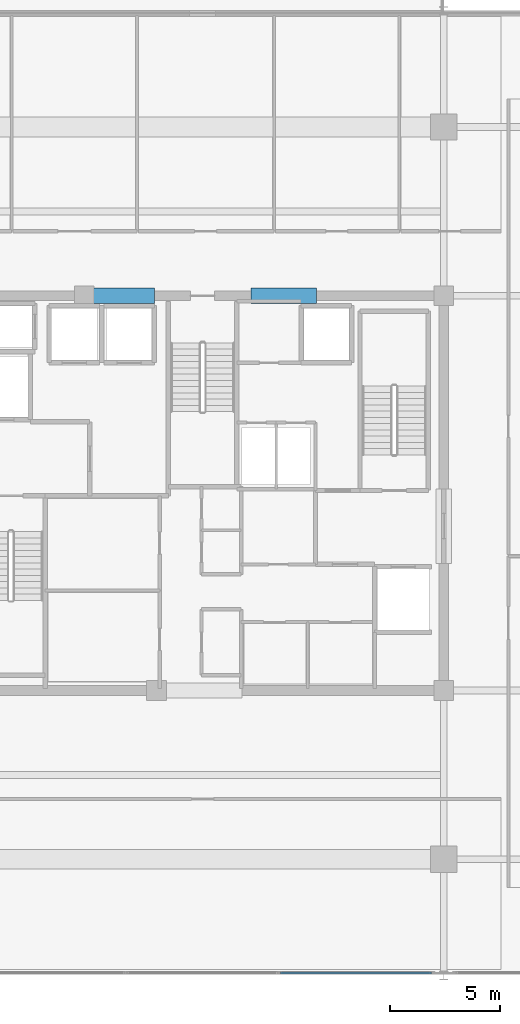
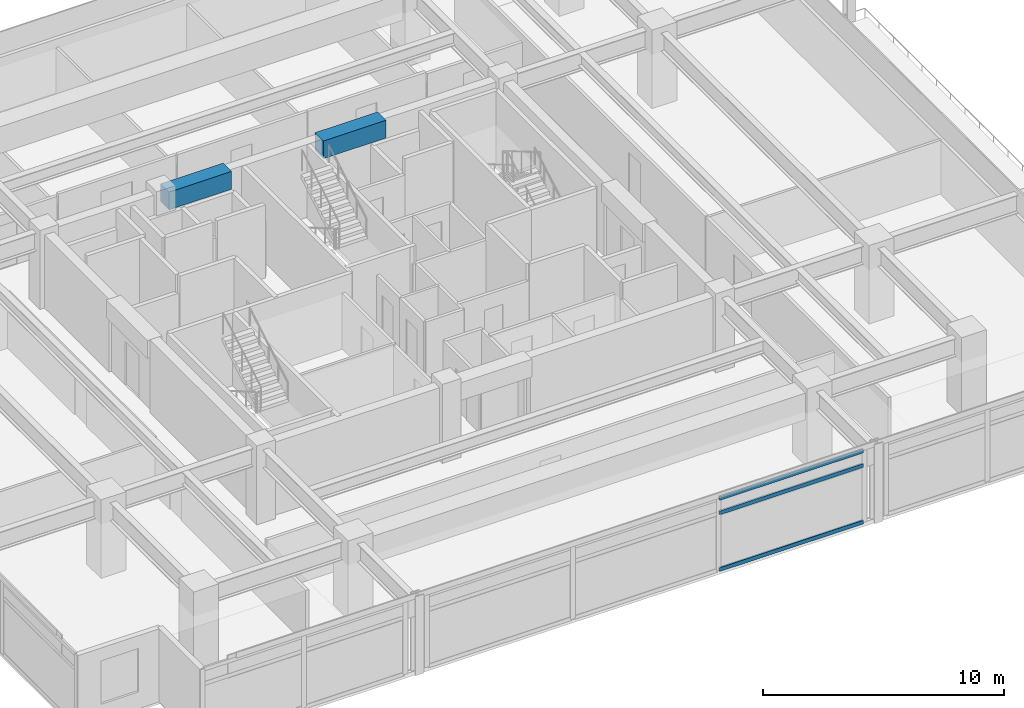
# One storey, part 8 of 20: 3 members, 2 beams, 1 element without a shape of its own.
"""IFC4 building model written with IfcOpenShell, lengths in metres."""

from ifc_helpers import new_model, si_unit, direction, frame, origin, origin_2d, place, context, subcontext, project, spatial, rectangle, hollow_rectangle, extrude, material, material_profile, profile_set, type_object, element, aggregate, save


model = new_model("IFC4")

# Units and contexts
model_context = context("Model", 3, precision=1e-05, world=origin(), true_north=direction((0.0, 1.0)))
body_context = subcontext(model_context, "Body", "Model", "MODEL_VIEW")
ifc_project = project(units=[si_unit("LENGTHUNIT", "METRE"), si_unit("AREAUNIT", "SQUARE_METRE"), si_unit("VOLUMEUNIT", "CUBIC_METRE"), si_unit("PLANEANGLEUNIT", "RADIAN"), si_unit("MASSUNIT", "GRAM", prefix="KILO")], contexts=[model_context])

# Site, building, storey
site_placement = place(None, origin())
site = spatial("IfcSite", under=ifc_project, at=site_placement, CompositionType="ELEMENT")
building_placement = place(site_placement, origin())
building = spatial("IfcBuilding", under=site, at=building_placement, Name="Kovane Verandah Tower", CompositionType="ELEMENT")
storey_placement = place(building_placement, frame((0.0, 0.0, 291.199951171875)))
storey = spatial("IfcBuildingStorey", under=building, at=storey_placement, Name="L68", CompositionType="ELEMENT", Elevation=291.199951171875)

# Beams
ifc_material_1 = material(Name="Concrete C60/75", Category="concrete")
ifc_material_profile_1 = material_profile(ifc_material_1, rectangle(XDim=0.699951171875, YDim=0.89990234375, at=origin_2d()), Name="RCB700x900")
ifc_profile_set_1 = profile_set([ifc_material_profile_1], Name="Concrete C60/75")
beam_type = type_object("IfcBeamType", Name="BM-LINTEL-700x900", PredefinedType="LINTEL", material=ifc_profile_set_1)
for number, where, z_axis, x_axis, name in (
    (1, (34.800048828125, 36.5, 3.25), (1.0, 0.0, 0.0), (0.0, 1.0, 0.0), "L68 Core Coupling Lintel CL-N1"),
    (2, (42.199951171875, 36.5, 3.25), (1.0, 0.0, 0.0), (0.0, 1.0, 0.0), "L68 Core Coupling Lintel CL-N2"),
):
    element("IfcBeam", number, at=place(storey_placement, frame(where, z_axis=z_axis, x_axis=x_axis)), inside=storey, type_object=beam_type, Name=name, PredefinedType="LINTEL", context=body_context, shape_type="SweptSolid", body=[
        extrude(rectangle(XDim=0.699951171875, YDim=0.89990234375, at=origin_2d()), origin(), (0.0, 0.0, 1.0), 3.0),
    ])

# Curtain wall, members
ifc_material_2 = material(Name="Champagne Anodised Aluminium Frame with Low-E Clear Laminated Glass", Category="aluminium")
curtain_wall_type = type_object("IfcCurtainWallType", Name="CW-SYS-05-HIGH", PredefinedType="NOTDEFINED", material=ifc_material_2)
curtain_wall_placement = place(storey_placement, origin())
curtain_wall = element("IfcCurtainWall", 3, at=curtain_wall_placement, inside=storey, type_object=curtain_wall_type, Name="L68 S Unitised Curtain Wall-2", PredefinedType="NOTDEFINED")
ifc_material_3 = material(Name="Champagne Anodised Aluminium 6063-T6", Category="aluminium")
ifc_material_profile_2 = material_profile(ifc_material_3, hollow_rectangle(XDim=0.0849609375, YDim=0.18994140625, WallThickness=0.00390625, at=origin_2d()), Name="AL85x190x4")
ifc_profile_set_2 = profile_set([ifc_material_profile_2], Name="Champagne Anodised Aluminium 6063-T6")
member_type = type_object("IfcMemberType", Name="CW-TRN-85x190", PredefinedType="USERDEFINED", material=ifc_profile_set_2)
member_1_placement = place(storey_placement, frame((43.543212890625, 5.619384765625, 0.050048828125), z_axis=(1.0, 0.0, 0.0), x_axis=(0.0, 1.0, 0.0)))
member_1 = element("IfcMember", 4, at=member_1_placement, type_object=member_type, Name="L68 S Unitised Curtain Wall-2 Transom TB Bay 3", ObjectType="TRANSOM", PredefinedType="USERDEFINED", context=body_context, shape_type="SweptSolid", body=[
    extrude(hollow_rectangle(XDim=0.0849609375, YDim=0.18994140625, WallThickness=0.00390625, at=origin_2d()), origin(), (0.0, 0.0, 1.0), 6.88671875),
])
member_2_placement = place(storey_placement, frame((43.543212890625, 5.619384765625, 2.920166015625), z_axis=(1.0, 0.0, 0.0), x_axis=(0.0, 1.0, 0.0)))
member_2 = element("IfcMember", 5, at=member_2_placement, type_object=member_type, Name="L68 S Unitised Curtain Wall-2 Transom TM Bay 3", ObjectType="TRANSOM", PredefinedType="USERDEFINED", context=body_context, shape_type="SweptSolid", body=[
    extrude(hollow_rectangle(XDim=0.0849609375, YDim=0.18994140625, WallThickness=0.00390625, at=origin_2d()), origin(), (0.0, 0.0, 1.0), 6.88671875),
])
member_3_placement = place(storey_placement, frame((43.543212890625, 5.619384765625, 3.650146484375), z_axis=(1.0, 0.0, 0.0), x_axis=(0.0, 1.0, 0.0)))
member_3 = element("IfcMember", 6, at=member_3_placement, type_object=member_type, Name="L68 S Unitised Curtain Wall-2 Transom TT Bay 3", ObjectType="TRANSOM", PredefinedType="USERDEFINED", context=body_context, shape_type="SweptSolid", body=[
    extrude(hollow_rectangle(XDim=0.0849609375, YDim=0.18994140625, WallThickness=0.00390625, at=origin_2d()), origin(), (0.0, 0.0, 1.0), 6.88671875),
])
aggregate(curtain_wall, [member_1, member_2, member_3])

save(model, "model.ifc")
